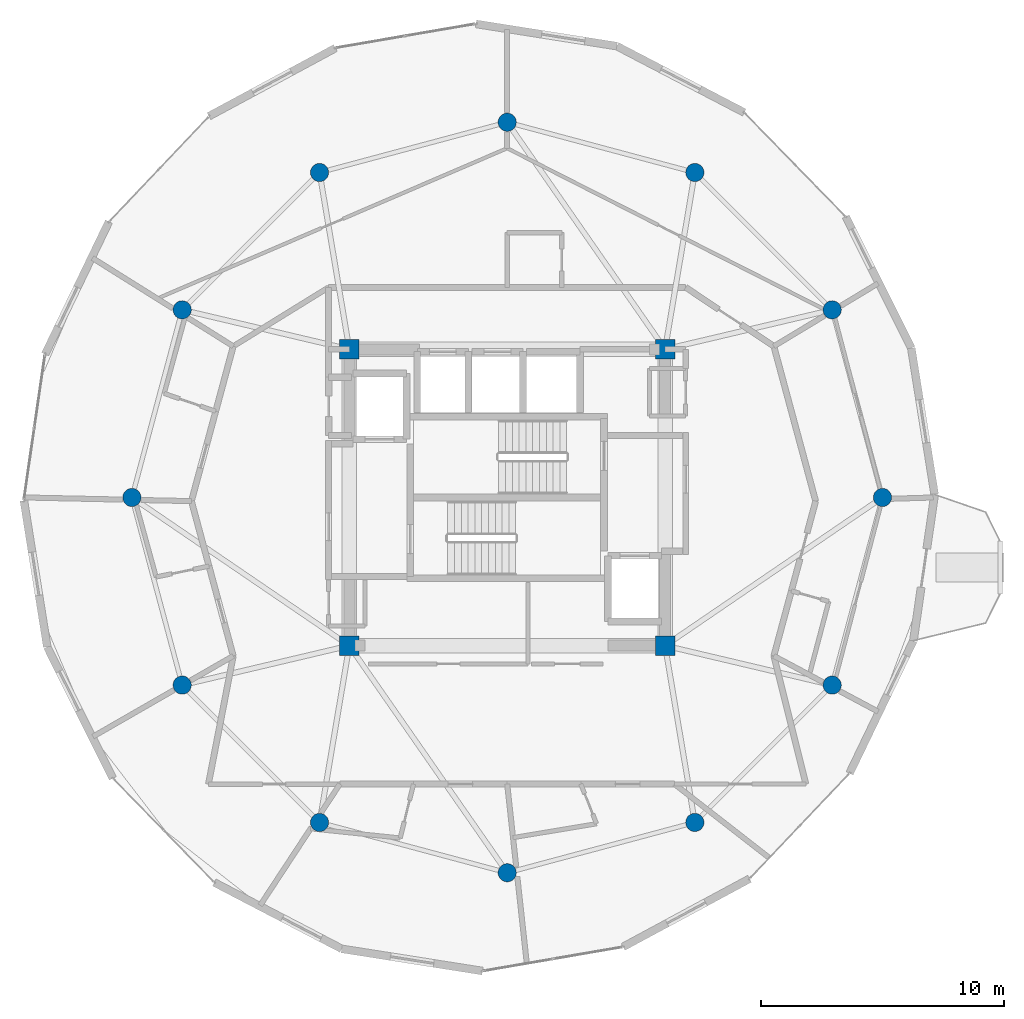
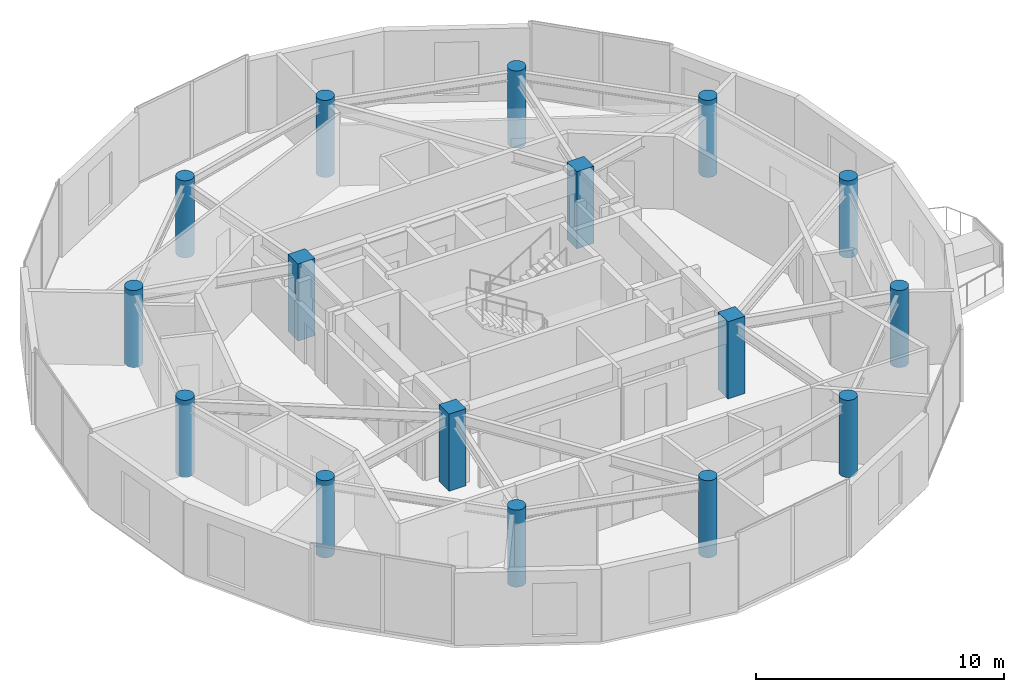
# One storey, part 1 of 22: 16 columns.
"""IFC4 building model written with IfcOpenShell, lengths in metres."""

from ifc_helpers import new_model, si_unit, direction, frame, origin, origin_2d, place, context, subcontext, project, spatial, rectangle, circle, extrude, material, material_profile, profile_set, type_object, element, save


model = new_model("IFC4")

# Units and contexts
model_context = context("Model", 3, precision=1e-05, world=origin(), true_north=direction((0.0, 1.0)))
body_context = subcontext(model_context, "Body", "Model", "MODEL_VIEW")
ifc_project = project(units=[si_unit("LENGTHUNIT", "METRE"), si_unit("AREAUNIT", "SQUARE_METRE"), si_unit("VOLUMEUNIT", "CUBIC_METRE"), si_unit("PLANEANGLEUNIT", "RADIAN"), si_unit("MASSUNIT", "GRAM", prefix="KILO")], contexts=[model_context])

# Site, building, storey
site_placement = place(None, origin())
site = spatial("IfcSite", under=ifc_project, at=site_placement, CompositionType="ELEMENT")
building_placement = place(site_placement, origin())
building = spatial("IfcBuilding", under=site, at=building_placement, Name="Solvirekh Grand Hotel", CompositionType="ELEMENT")
storey_placement = place(building_placement, frame((0.0, 0.0, 278.199951171875)))
storey = spatial("IfcBuildingStorey", under=building, at=storey_placement, Name="L72", CompositionType="ELEMENT", Elevation=278.199951171875)

# Columns
ifc_material = material(Name="Concrete C50/60", Category="concrete")
ifc_material_profile_1 = material_profile(ifc_material, rectangle(XDim=0.800048828125, YDim=0.800048828125, at=origin_2d()), Name="RC 800X800")
ifc_profile_set_1 = profile_set([ifc_material_profile_1], Name="Concrete C50/60")
column_type_1 = type_object("IfcColumnType", Name="Col_Core_800", PredefinedType="COLUMN", material=ifc_profile_set_1)
for number, where, z_axis, x_axis, name in (
    (1, (-6.5, -6.10009765625, 0.0), (0.0, 0.0, 1.0), (1.0, 0.0, 0.0), "L72 core corner column CC1"),
    (2, (6.5, -6.10009765625, 0.0), (0.0, 0.0, 1.0), (1.0, 0.0, 0.0), "L72 core corner column CC2"),
    (3, (6.5, 6.10009765625, 0.0), (0.0, 0.0, 1.0), (1.0, 0.0, 0.0), "L72 core corner column CC3"),
    (4, (-6.5, 6.10009765625, 0.0), (0.0, 0.0, 1.0), (1.0, 0.0, 0.0), "L72 core corner column CC4"),
):
    element("IfcColumn", number, at=place(storey_placement, frame(where, z_axis=z_axis, x_axis=x_axis)), inside=storey, type_object=column_type_1, Name=name, PredefinedType="COLUMN", context=body_context, shape_type="SweptSolid", body=[
        extrude(rectangle(XDim=0.800048828125, YDim=0.800048828125, at=origin_2d()), origin(), (0.0, 0.0, 1.0), 3.800048828125),
    ])
ifc_material_profile_2 = material_profile(ifc_material, circle(Radius=0.375, at=origin_2d()), Name="RC CIRC D750")
ifc_profile_set_2 = profile_set([ifc_material_profile_2], Name="Concrete C50/60")
column_type_2 = type_object("IfcColumnType", Name="Col_Z4_D750", PredefinedType="COLUMN", material=ifc_profile_set_2)
for number, where, z_axis, x_axis, name in (
    (5, (15.449951171875, 0.0, 0.0), (0.0, 0.0, 1.0), (1.0, 0.0, 0.0), "L72 perimeter column P01"),
    (6, (13.3798828125, 7.72509765625, 0.0), (0.0, 0.0, 1.0), (1.0, 0.0, 0.0), "L72 perimeter column P02"),
    (7, (7.72509765625, 13.3798828125, 0.0), (0.0, 0.0, 1.0), (1.0, 0.0, 0.0), "L72 perimeter column P03"),
    (8, (0.0, 15.449951171875, 0.0), (0.0, 0.0, 1.0), (1.0, 0.0, 0.0), "L72 perimeter column P04"),
    (9, (-7.72509765625, 13.3798828125, 0.0), (0.0, 0.0, 1.0), (1.0, 0.0, 0.0), "L72 perimeter column P05"),
    (10, (-13.3798828125, 7.72509765625, 0.0), (0.0, 0.0, 1.0), (1.0, 0.0, 0.0), "L72 perimeter column P06"),
    (11, (-15.449951171875, 0.0, 0.0), (0.0, 0.0, 1.0), (1.0, 0.0, 0.0), "L72 perimeter column P07"),
    (12, (-13.3798828125, -7.72509765625, 0.0), (0.0, 0.0, 1.0), (1.0, 0.0, 0.0), "L72 perimeter column P08"),
    (13, (-7.72509765625, -13.3798828125, 0.0), (0.0, 0.0, 1.0), (1.0, 0.0, 0.0), "L72 perimeter column P09"),
    (14, (0.0, -15.449951171875, 0.0), (0.0, 0.0, 1.0), (1.0, 0.0, 0.0), "L72 perimeter column P10"),
    (15, (7.72509765625, -13.3798828125, 0.0), (0.0, 0.0, 1.0), (1.0, 0.0, 0.0), "L72 perimeter column P11"),
    (16, (13.3798828125, -7.72509765625, 0.0), (0.0, 0.0, 1.0), (1.0, 0.0, 0.0), "L72 perimeter column P12"),
):
    element("IfcColumn", number, at=place(storey_placement, frame(where, z_axis=z_axis, x_axis=x_axis)), inside=storey, type_object=column_type_2, Name=name, PredefinedType="COLUMN", context=body_context, shape_type="SweptSolid", body=[
        extrude(circle(Radius=0.375, at=origin_2d()), origin(), (0.0, 0.0, 1.0), 3.800048828125),
    ])

save(model, "model.ifc")
